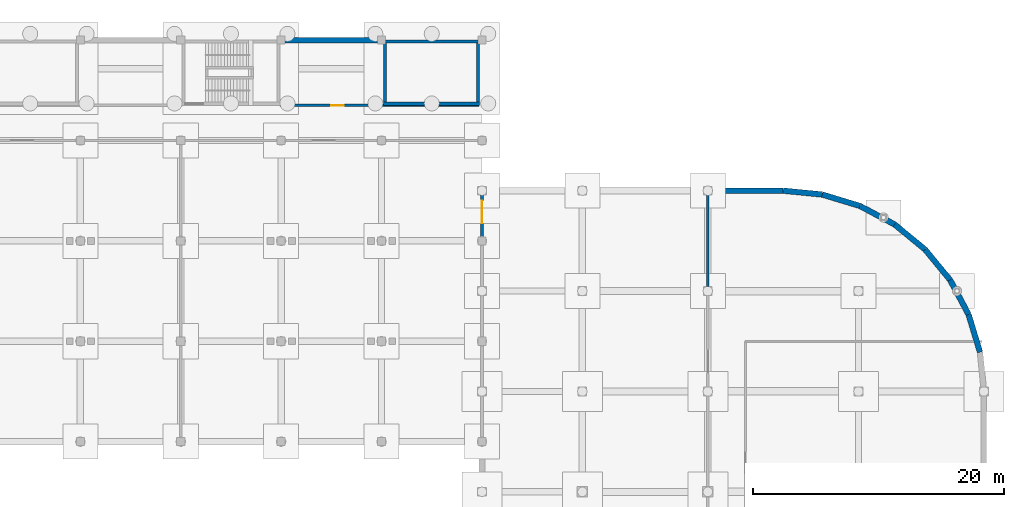
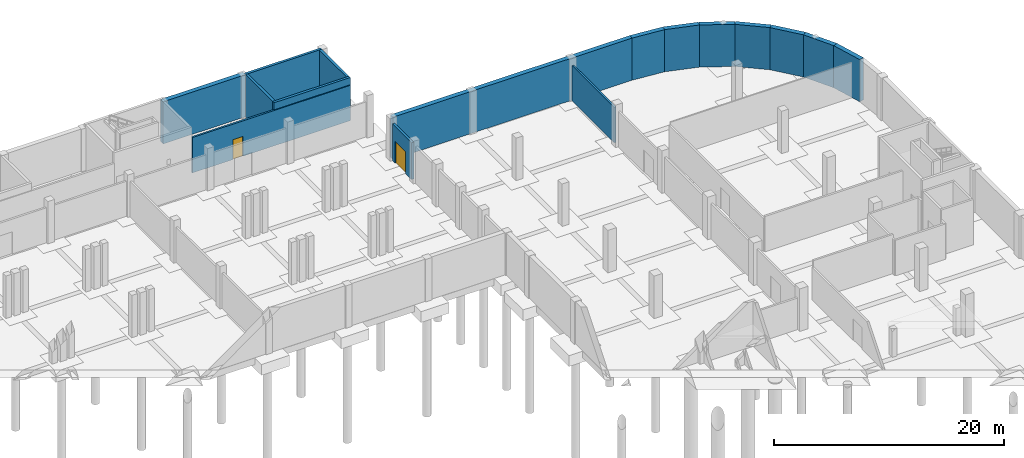
# One storey, part 27 of 29: 16 walls, 2 doors, 2 openings.
"""IFC4 building model written with IfcOpenShell, lengths in metres."""

from ifc_helpers import new_model, si_unit, direction, frame, frame_2d, origin, place, context, subcontext, project, spatial, rectangle, extrude, material, layer, layer_set, type_object, element, fill, save


model = new_model("IFC4")

# Units and contexts
model_context = context("Model", 3, precision=1e-05, world=origin(), true_north=direction((0.0, 1.0)))
body_context = subcontext(model_context, "Body", "Model", "MODEL_VIEW")
ifc_project = project(units=[si_unit("LENGTHUNIT", "METRE"), si_unit("AREAUNIT", "SQUARE_METRE"), si_unit("VOLUMEUNIT", "CUBIC_METRE"), si_unit("PLANEANGLEUNIT", "RADIAN"), si_unit("MASSUNIT", "GRAM", prefix="KILO")], contexts=[model_context])

# Site, building, storey
site_placement = place(None, origin())
site = spatial("IfcSite", under=ifc_project, at=site_placement, CompositionType="ELEMENT")
building_placement = place(site_placement, origin())
building = spatial("IfcBuilding", under=site, at=building_placement, Name="Drelvana Railside Aquatics Centre", CompositionType="ELEMENT")
storey_placement = place(building_placement, frame((0.0, 0.0, -4.800048828125)))
storey = spatial("IfcBuildingStorey", under=building, at=storey_placement, Name="B1", CompositionType="ELEMENT", Elevation=-4.800048828125)

# Wall, opening, door
ifc_material_1 = material(Name="Concrete blockwork compartment wall", Category="masonry")
ifc_layer_1 = layer(ifc_material_1, 0.18505859375, Name="Concrete blockwork compartment wall")
ifc_layer_set_1 = layer_set([ifc_layer_1], Name="Concrete blockwork compartment wall")
wall_type_1 = type_object("IfcWallType", Name="WL-COMP-185", PredefinedType="STANDARD", material=ifc_layer_set_1)
wall_1_placement = place(storey_placement, frame((127.89990234375, 110.800048828125, 0.0), z_axis=(0.0, 0.0, 1.0), x_axis=(1.0, 0.0, 0.0)))
wall_1 = element("IfcWall", 1, at=wall_1_placement, inside=storey, type_object=wall_type_1, Name="B1 Spare parts S corridor wall", PredefinedType="STANDARD", context=body_context, shape_type="SweptSolid", body=[
    extrude(rectangle(XDim=15.880126953125, YDim=0.18505859375, at=frame_2d((7.93994140625, 0.0))), origin(), (0.0, 0.0, 1.0), 3.75),
])
opening_1_placement = place(wall_1_placement, frame((4.10009765625, 0.0, 0.0)))
opening_1 = element("IfcOpeningElement", 2, at=opening_1_placement, cuts=wall_1, Name="Opening D-13-121", PredefinedType="OPENING", context=body_context, shape_type="SweptSolid", body=[
    extrude(rectangle(XDim=0.97998046875, YDim=2.10009765625, at=frame_2d((0.489990234375, 1.050048828125))), frame((0.0, 0.1025390625, 0.0), z_axis=(0.0, -1.0, 0.0), x_axis=(1.0, 0.0, 0.0)), (0.0, 0.0, 1.0), 0.205078125),
])
ifc_material_2 = material(Name="Equipment store door", Category="wood")
door_type_1 = type_object("IfcDoorType", Name="DR-INT-STR-980x2100", OperationType="NOTDEFINED", PredefinedType="DOOR", material=ifc_material_2)
door_1_placement = place(opening_1_placement, origin())
door_1 = element("IfcDoor", 3, at=door_1_placement, inside=storey, type_object=door_type_1, Name="Equipment spare parts store door D-13-121", OperationType="SINGLE_SWING_LEFT", OverallHeight=2.10009765625, OverallWidth=0.97998046875, PredefinedType="DOOR", context=body_context, shape_type="SweptSolid", body=[
    extrude(rectangle(XDim=0.97998046875, YDim=2.10009765625, at=frame_2d((0.489990234375, 1.050048828125))), frame((0.0, 0.02490234375, 0.0), z_axis=(0.0, -1.0, 0.0), x_axis=(1.0, 0.0, 0.0)), (0.0, 0.0, 1.0), 0.050048828125),
])
fill(opening_1, door_1)

# Wall
wall_2_placement = place(storey_placement, frame((162.0, 96.35205078125, 0.0), z_axis=(0.0, 0.0, 1.0), x_axis=(0.0, 1.0, 0.0)))
element("IfcWall", 4, at=wall_2_placement, inside=storey, type_object=wall_type_1, Name="V5 B1 west corridor wall", PredefinedType="STANDARD", context=body_context, shape_type="SweptSolid", body=[
    extrude(rectangle(XDim=7.2958984375, YDim=0.18505859375, at=frame_2d((3.64794921875, 0.0))), origin(), (0.0, 0.0, 1.0), 3.75),
])

# Wall, opening, door
ifc_material_3 = material(Name="Autoclaved aerated concrete masonry", Category="masonry")
ifc_layer_2 = layer(ifc_material_3, 0.22509765625, Name="Autoclaved aerated concrete masonry")
ifc_layer_set_2 = layer_set([ifc_layer_2], Name="Autoclaved aerated concrete masonry")
wall_type_2 = type_object("IfcWallType", Name="WL-COMP-225", PredefinedType="STANDARD", material=ifc_layer_set_2)
wall_3_placement = place(storey_placement, frame((144.0, 100.326904296875, 0.0), z_axis=(0.0, 0.0, 1.0), x_axis=(0.0, 1.0, 0.0)))
wall_3 = element("IfcWall", 5, at=wall_3_placement, inside=storey, type_object=wall_type_2, Name="B1 Changing-Wing compartment wall", PredefinedType="STANDARD", context=body_context, shape_type="SweptSolid", body=[
    extrude(rectangle(XDim=3.321044921875, YDim=0.22509765625, at=frame_2d((1.66064453125, 0.0))), origin(), (0.0, 0.0, 1.0), 3.900146484375),
])
opening_2_placement = place(wall_3_placement, frame((1.072998046875, 0.0, 0.0)))
opening_2 = element("IfcOpeningElement", 6, at=opening_2_placement, cuts=wall_3, Name="Opening D-05-101", PredefinedType="OPENING", context=body_context, shape_type="SweptSolid", body=[
    extrude(rectangle(XDim=1.800048828125, YDim=2.300048828125, at=frame_2d((0.89990234375, 1.14990234375))), frame((0.0, 0.12255859375, 0.0), z_axis=(0.0, -1.0, 0.0), x_axis=(1.0, 0.0, 0.0)), (0.0, 0.0, 1.0), 0.2451171875),
])
ifc_material_4 = material(Name="Corridor compartment double door", Category="wood")
door_type_2 = type_object("IfcDoorType", Name="DR-INT-COMP-1800x2300", OperationType="DOUBLE_DOOR_SINGLE_SWING", PredefinedType="DOOR", material=ifc_material_4)
door_2_placement = place(opening_2_placement, origin())
door_2 = element("IfcDoor", 7, at=door_2_placement, inside=storey, type_object=door_type_2, Name="B1 Changing to Wing corridor door D-05-101", OperationType="DOUBLE_DOOR_SINGLE_SWING", OverallHeight=2.300048828125, OverallWidth=1.800048828125, PredefinedType="DOOR", context=body_context, shape_type="SweptSolid", body=[
    extrude(rectangle(XDim=1.800048828125, YDim=2.300048828125, at=frame_2d((0.89990234375, 1.14990234375))), frame((0.0, 0.02490234375, 0.0), z_axis=(0.0, -1.0, 0.0), x_axis=(1.0, 0.0, 0.0)), (0.0, 0.0, 1.0), 0.050048828125),
])
fill(opening_2, door_2)

# Walls
ifc_material_5 = material(Name="Concrete C40/50", Category="concrete")
ifc_layer_3 = layer(ifc_material_5, 0.25, Name="Concrete C40/50")
ifc_layer_set_3 = layer_set([ifc_layer_3], Name="Concrete C40/50")
wall_type_3 = type_object("IfcWallType", Name="WL-CORE-250", PredefinedType="SHEAR", material=ifc_layer_set_3)
for number, where, z_axis, x_axis, name in (
    (8, (136.14990234375, 110.925048828125, 0.0), (0.0, 0.0, 1.0), (1.0, 0.0, 0.0), "Core 12 Changing Pavilion North-East S core wall (B1)"),
    (9, (136.14990234375, 115.875, 0.0), (0.0, 0.0, 1.0), (1.0, 0.0, 0.0), "Core 12 Changing Pavilion North-East N core wall (B1)"),
):
    element("IfcWall", number, at=place(storey_placement, frame(where, z_axis=z_axis, x_axis=x_axis)), inside=storey, type_object=wall_type_3, Name=name, PredefinedType="SHEAR", context=body_context, shape_type="SweptSolid", body=[
        extrude(rectangle(XDim=7.650146484375, YDim=0.25, at=frame_2d((3.8251953125, 0.0))), origin(), (0.0, 0.0, 1.0), 4.5),
    ])
for number, where, z_axis, x_axis, name in (
    (10, (136.27490234375, 111.050048828125, 0.0), (0.0, 0.0, 1.0), (0.0, 1.0, 0.0), "Core 12 Changing Pavilion North-East W core wall (B1)"),
    (11, (143.675048828125, 111.050048828125, 0.0), (0.0, 0.0, 1.0), (0.0, 1.0, 0.0), "Core 12 Changing Pavilion North-East E core wall (B1)"),
):
    element("IfcWall", number, at=place(storey_placement, frame(where, z_axis=z_axis, x_axis=x_axis)), inside=storey, type_object=wall_type_3, Name=name, PredefinedType="SHEAR", context=body_context, shape_type="SweptSolid", body=[
        extrude(rectangle(XDim=4.699951171875, YDim=0.25, at=frame_2d((2.35009765625, 0.0))), origin(), (0.0, 0.0, 1.0), 4.5),
    ])
ifc_material_6 = material(Name="Waterproof concrete C40/50", Category="concrete")
ifc_layer_4 = layer(ifc_material_6, 0.449951171875, Name="Waterproof concrete C40/50")
ifc_layer_set_4 = layer_set([ifc_layer_4], Name="Waterproof concrete C40/50")
wall_type_4 = type_object("IfcWallType", Name="WL-RET-450", PredefinedType="SOLIDWALL", material=ifc_layer_set_4)
wall_4_placement = place(storey_placement, frame((127.902099609375, 116.0, 0.0), z_axis=(0.0, 0.0, 1.0), x_axis=(1.0, 0.0, 0.0)))
element("IfcWall", 12, at=wall_4_placement, inside=storey, type_object=wall_type_4, Name="Basement retaining wall V4-N-3", PredefinedType="SOLIDWALL", context=body_context, shape_type="SweptSolid", body=[
    extrude(rectangle(XDim=8.245849609375, YDim=0.449951171875, at=frame_2d((4.123046875, 0.0))), origin(), (0.0, 0.0, 1.0), 4.469970703125),
])
wall_5_placement = place(storey_placement, frame((144.0, 104.0, 0.0), z_axis=(0.0, 0.0, 1.0), x_axis=(1.0, 0.0, 0.0)))
element("IfcWall", 13, at=wall_5_placement, inside=storey, type_object=wall_type_4, Name="Basement retaining wall V5-N", PredefinedType="SOLIDWALL", context=body_context, shape_type="SweptSolid", body=[
    extrude(rectangle(XDim=24.0, YDim=0.449951171875, at=frame_2d((12.0, 0.0))), origin(), (0.0, 0.0, 1.0), 4.469970703125),
])
wall_6_placement = place(storey_placement, frame((183.692626953125, 91.121337890625, 0.0), z_axis=(0.0, 0.0, 1.0), x_axis=(-0.29030980253, 0.956932713703, 0.0)))
element("IfcWall", 14, at=wall_6_placement, inside=storey, type_object=wall_type_4, Name="Basement curved retaining wall V5-NE-2", PredefinedType="SOLIDWALL", context=body_context, shape_type="SweptSolid", body=[
    extrude(rectangle(XDim=3.13671875, YDim=0.449951171875, at=frame_2d((1.568359375, 0.0))), origin(), (0.0, 0.0, 1.0), 4.469970703125),
])
for number, where, z_axis, x_axis, name in (
    (15, (182.781982421875, 94.123046875, 0.0), (0.0, 0.0, 1.0), (-0.471396060548, 0.881921625826, 0.0), "Basement curved retaining wall V5-NE-3"),
    (16, (181.303466796875, 96.88916015625, 0.0), (0.0, 0.0, 1.0), (-0.634385792339, 0.773016601683, 0.0), "Basement curved retaining wall V5-NE-4"),
    (17, (179.313720703125, 99.313720703125, 0.0), (0.0, 0.0, 1.0), (-0.773016601683, 0.634385792339, 0.0), "Basement curved retaining wall V5-NE-5"),
    (18, (176.88916015625, 101.303466796875, 0.0), (0.0, 0.0, 1.0), (-0.881921625826, 0.471396060548, 0.0), "Basement curved retaining wall V5-NE-6"),
):
    element("IfcWall", number, at=place(storey_placement, frame(where, z_axis=z_axis, x_axis=x_axis)), inside=storey, type_object=wall_type_4, Name=name, PredefinedType="SOLIDWALL", context=body_context, shape_type="SweptSolid", body=[
        extrude(rectangle(XDim=3.136474609375, YDim=0.449951171875, at=frame_2d((1.568359375, 0.0))), origin(), (0.0, 0.0, 1.0), 4.469970703125),
    ])
wall_7_placement = place(storey_placement, frame((174.123046875, 102.781982421875, 0.0), z_axis=(0.0, 0.0, 1.0), x_axis=(-0.956932713703, 0.29030980253, 0.0)))
element("IfcWall", 19, at=wall_7_placement, inside=storey, type_object=wall_type_4, Name="Basement curved retaining wall V5-NE-7", PredefinedType="SOLIDWALL", context=body_context, shape_type="SweptSolid", body=[
    extrude(rectangle(XDim=3.13671875, YDim=0.449951171875, at=frame_2d((1.568359375, 0.0))), origin(), (0.0, 0.0, 1.0), 4.469970703125),
])
wall_8_placement = place(storey_placement, frame((171.121337890625, 103.692626953125, 0.0), z_axis=(0.0, 0.0, 1.0), x_axis=(-0.995186340733, 0.098000751113, 0.0)))
element("IfcWall", 20, at=wall_8_placement, inside=storey, type_object=wall_type_4, Name="Basement curved retaining wall V5-NE-8", PredefinedType="SOLIDWALL", context=body_context, shape_type="SweptSolid", body=[
    extrude(rectangle(XDim=3.136474609375, YDim=0.449951171875, at=frame_2d((1.568359375, 0.0))), origin(), (0.0, 0.0, 1.0), 4.469970703125),
])

save(model, "model.ifc")
